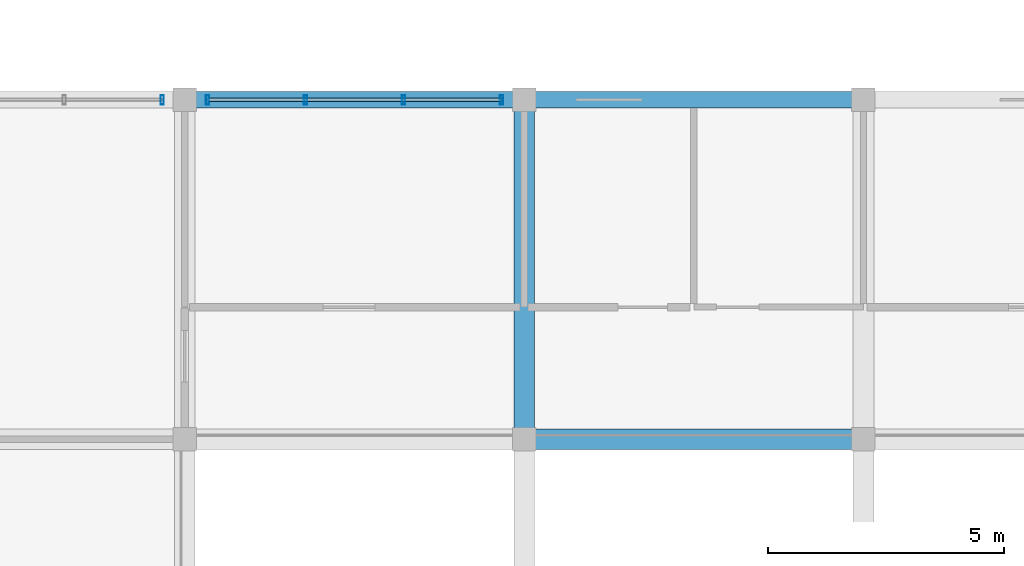
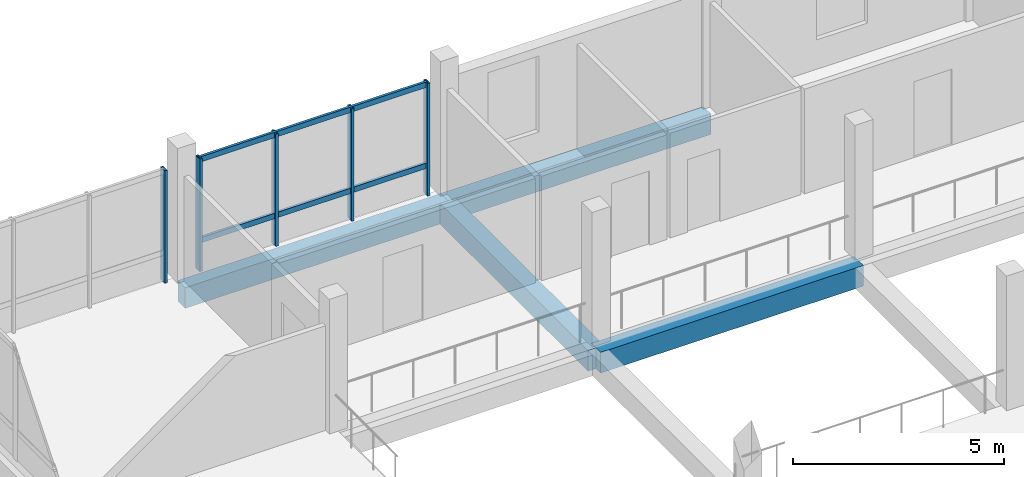
# One storey, part 81 of 128: 7 members, 4 beams, 2 elements without a shape of their own.
"""IFC4 building model written with IfcOpenShell, lengths in metres."""

from ifc_helpers import new_model, si_unit, direction, frame, origin, origin_2d, place, context, subcontext, project, spatial, rectangle, hollow_rectangle, extrude, material, material_profile, profile_set, type_object, element, aggregate, save


model = new_model("IFC4")

# Units and contexts
model_context = context("Model", 3, precision=1e-05, world=origin(), true_north=direction((0.0, 1.0)))
body_context = subcontext(model_context, "Body", "Model", "MODEL_VIEW")
ifc_project = project(units=[si_unit("LENGTHUNIT", "METRE"), si_unit("AREAUNIT", "SQUARE_METRE"), si_unit("VOLUMEUNIT", "CUBIC_METRE"), si_unit("PLANEANGLEUNIT", "RADIAN"), si_unit("MASSUNIT", "GRAM", prefix="KILO")], contexts=[model_context])

# Site, building, storey
site_placement = place(None, origin())
site = spatial("IfcSite", under=ifc_project, at=site_placement, CompositionType="ELEMENT")
building_placement = place(site_placement, origin())
building = spatial("IfcBuilding", under=site, at=building_placement, Name="Zornivar Specialist Clinic", CompositionType="ELEMENT")
storey_placement = place(building_placement, frame((0.0, 0.0, 4.5)))
storey = spatial("IfcBuildingStorey", under=building, at=storey_placement, Name="L01", CompositionType="ELEMENT", Elevation=4.5)

# Beams
ifc_material_1 = material(Name="Concrete C30/37", Category="concrete")
ifc_material_profile_1 = material_profile(ifc_material_1, rectangle(XDim=0.43994140625, YDim=0.60009765625, at=origin_2d()), Name="RC 440x600")
ifc_profile_set_1 = profile_set([ifc_material_profile_1], Name="Concrete C30/37")
beam_type_1 = type_object("IfcBeamType", Name="BM-RC-440x600", PredefinedType="BEAM", material=ifc_profile_set_1)
beam_1_placement = place(storey_placement, frame((136.800048828125, 14.39990234375, -0.56005859375), z_axis=(1.0, 0.0, 0.0), x_axis=(0.0, 1.0, 0.0)))
element("IfcBeam", 1, at=beam_1_placement, inside=storey, type_object=beam_type_1, Name="bm:V4:L01:x:144:2", PredefinedType="BEAM", context=body_context, shape_type="SweptSolid", body=[
    extrude(rectangle(XDim=0.43994140625, YDim=0.60009765625, at=origin_2d()), origin(), (0.0, 0.0, 1.0), 7.199951171875),
])
beam_2_placement = place(storey_placement, frame((136.800048828125, 14.39990234375, -0.56005859375), z_axis=(0.0, 1.0, 0.0), x_axis=(-1.0, 0.0, 0.0)))
element("IfcBeam", 2, at=beam_2_placement, inside=storey, type_object=beam_type_1, Name="bm:V4:L01:y:1368:2", PredefinedType="BEAM", context=body_context, shape_type="SweptSolid", body=[
    extrude(rectangle(XDim=0.43994140625, YDim=0.60009765625, at=origin_2d()), origin(), (0.0, 0.0, 1.0), 7.2001953125),
])
ifc_material_2 = material(Name="Concrete C30/37", Category="concrete")
ifc_material_profile_2 = material_profile(ifc_material_2, rectangle(XDim=0.35009765625, YDim=0.60009765625, at=origin_2d()), Name="RC 350x600")
ifc_profile_set_2 = profile_set([ifc_material_profile_2], Name="Concrete C30/37")
beam_type_2 = type_object("IfcBeamType", Name="BM-RC-SPANDREL-350x600", PredefinedType="SPANDREL", material=ifc_profile_set_2)
for number, where, z_axis, x_axis, name in (
    (3, (129.60009765625, 21.60009765625, -0.56005859375), (1.0, 0.0, 0.0), (0.0, 1.0, 0.0), "bm:V4:L01:x:216:1"),
    (4, (136.800048828125, 21.60009765625, -0.56005859375), (1.0, 0.0, 0.0), (0.0, 1.0, 0.0), "bm:V4:L01:x:216:2"),
):
    element("IfcBeam", number, at=place(storey_placement, frame(where, z_axis=z_axis, x_axis=x_axis)), inside=storey, type_object=beam_type_2, Name=name, PredefinedType="SPANDREL", context=body_context, shape_type="SweptSolid", body=[
        extrude(rectangle(XDim=0.35009765625, YDim=0.60009765625, at=origin_2d()), origin(), (0.0, 0.0, 1.0), 7.199951171875),
    ])

# Curtain wall, members
ifc_material_3 = material(Name="Aluminium and Low-E Glass Curtain Wall", Category="aluminium")
curtain_wall_type = type_object("IfcCurtainWallType", Name="CW-WINTERGARDEN", PredefinedType="NOTDEFINED", material=ifc_material_3)
curtain_wall_1_placement = place(storey_placement, origin())
curtain_wall_1 = element("IfcCurtainWall", 5, at=curtain_wall_1_placement, inside=storey, type_object=curtain_wall_type, Name="cw:V4:L01:13", PredefinedType="NOTDEFINED")
ifc_material_4 = material(Name="Aluminium AW-6060", Category="aluminium")
ifc_material_profile_3 = material_profile(ifc_material_4, hollow_rectangle(XDim=0.070068359375, YDim=0.199951171875, WallThickness=0.0048828125, at=origin_2d()), Name="ALU 70x200x5")
ifc_profile_set_3 = profile_set([ifc_material_profile_3], Name="Aluminium AW-6060")
member_type_1 = type_object("IfcMemberType", Name="CWM-MUL-200", PredefinedType="MULLION", material=ifc_profile_set_3)
member_1_placement = place(storey_placement, frame((136.320068359375, 21.60009765625, 0.0), z_axis=(0.0, 0.0, 1.0), x_axis=(1.0, 0.0, 0.0)))
member_1 = element("IfcMember", 6, at=member_1_placement, type_object=member_type_1, Name="cw:V4:L01:13:mul:0", PredefinedType="MULLION", context=body_context, shape_type="SweptSolid", body=[
    extrude(hollow_rectangle(XDim=0.070068359375, YDim=0.199951171875, WallThickness=0.0048828125, at=origin_2d()), origin(), (0.0, 0.0, 1.0), 3.260009765625),
])
member_2_placement = place(storey_placement, frame((134.239990234375, 21.60009765625, 0.0), z_axis=(0.0, 0.0, 1.0), x_axis=(1.0, 0.0, 0.0)))
member_2 = element("IfcMember", 7, at=member_2_placement, type_object=member_type_1, Name="cw:V4:L01:13:mul:1", PredefinedType="MULLION", context=body_context, shape_type="SweptSolid", body=[
    extrude(hollow_rectangle(XDim=0.070068359375, YDim=0.199951171875, WallThickness=0.0048828125, at=origin_2d()), origin(), (0.0, 0.0, 1.0), 3.260009765625),
])
member_3_placement = place(storey_placement, frame((132.159912109375, 21.60009765625, 0.0), z_axis=(0.0, 0.0, 1.0), x_axis=(1.0, 0.0, 0.0)))
member_3 = element("IfcMember", 8, at=member_3_placement, type_object=member_type_1, Name="cw:V4:L01:13:mul:2", PredefinedType="MULLION", context=body_context, shape_type="SweptSolid", body=[
    extrude(hollow_rectangle(XDim=0.070068359375, YDim=0.199951171875, WallThickness=0.0048828125, at=origin_2d()), origin(), (0.0, 0.0, 1.0), 3.260009765625),
])
member_4_placement = place(storey_placement, frame((130.080078125, 21.60009765625, 0.0), z_axis=(0.0, 0.0, 1.0), x_axis=(1.0, 0.0, 0.0)))
member_4 = element("IfcMember", 9, at=member_4_placement, type_object=member_type_1, Name="cw:V4:L01:13:mul:3", PredefinedType="MULLION", context=body_context, shape_type="SweptSolid", body=[
    extrude(hollow_rectangle(XDim=0.070068359375, YDim=0.199951171875, WallThickness=0.0048828125, at=origin_2d()), origin(), (0.0, 0.0, 1.0), 3.260009765625),
])

# Curtain wall, member
curtain_wall_2_placement = place(storey_placement, origin())
curtain_wall_2 = element("IfcCurtainWall", 10, at=curtain_wall_2_placement, inside=storey, type_object=curtain_wall_type, Name="cw:V4:L01:14", PredefinedType="NOTDEFINED")
member_5_placement = place(storey_placement, frame((129.1201171875, 21.60009765625, 0.0), z_axis=(0.0, 0.0, 1.0), x_axis=(1.0, 0.0, 0.0)))
member_5 = element("IfcMember", 11, at=member_5_placement, type_object=member_type_1, Name="cw:V4:L01:14:mul:0", PredefinedType="MULLION", context=body_context, shape_type="SweptSolid", body=[
    extrude(hollow_rectangle(XDim=0.070068359375, YDim=0.199951171875, WallThickness=0.0048828125, at=origin_2d()), origin(), (0.0, 0.0, 1.0), 3.260009765625),
])
aggregate(curtain_wall_2, [member_5])

# Member
ifc_material_5 = material(Name="Aluminium AW-6060", Category="aluminium")
ifc_material_profile_4 = material_profile(ifc_material_5, hollow_rectangle(XDim=0.070068359375, YDim=0.155029296875, WallThickness=0.00439453125, at=origin_2d()), Name="ALU 70x155x4.5")
ifc_profile_set_4 = profile_set([ifc_material_profile_4], Name="Aluminium AW-6060")
member_type_2 = type_object("IfcMemberType", Name="CWM-TRN-155", PredefinedType="USERDEFINED", material=ifc_profile_set_4)
member_6_placement = place(storey_placement, frame((136.320068359375, 21.60009765625, 0.847900390625), z_axis=(-1.0, 0.0, 0.0), x_axis=(0.0, -1.0, 0.0)))
member_6 = element("IfcMember", 12, at=member_6_placement, type_object=member_type_2, Name="cw:V4:L01:13:trn:0", ObjectType="TRANSOM", PredefinedType="USERDEFINED", context=body_context, shape_type="SweptSolid", body=[
    extrude(hollow_rectangle(XDim=0.070068359375, YDim=0.155029296875, WallThickness=0.00439453125, at=origin_2d()), origin(), (0.0, 0.0, 1.0), 6.239990234375),
])

member_7_placement = place(storey_placement, frame((136.320068359375, 21.60009765625, 3.195068359375), z_axis=(-1.0, 0.0, 0.0), x_axis=(0.0, -1.0, 0.0)))
member_7 = element("IfcMember", 13, at=member_7_placement, type_object=member_type_2, Name="cw:V4:L01:13:trn:1", ObjectType="TRANSOM", PredefinedType="USERDEFINED", context=body_context, shape_type="SweptSolid", body=[
    extrude(hollow_rectangle(XDim=0.070068359375, YDim=0.155029296875, WallThickness=0.00439453125, at=origin_2d()), origin(), (0.0, 0.0, 1.0), 6.239990234375),
])

aggregate(curtain_wall_1, [member_1, member_2, member_3, member_4, member_6, member_7])

save(model, "model.ifc")
